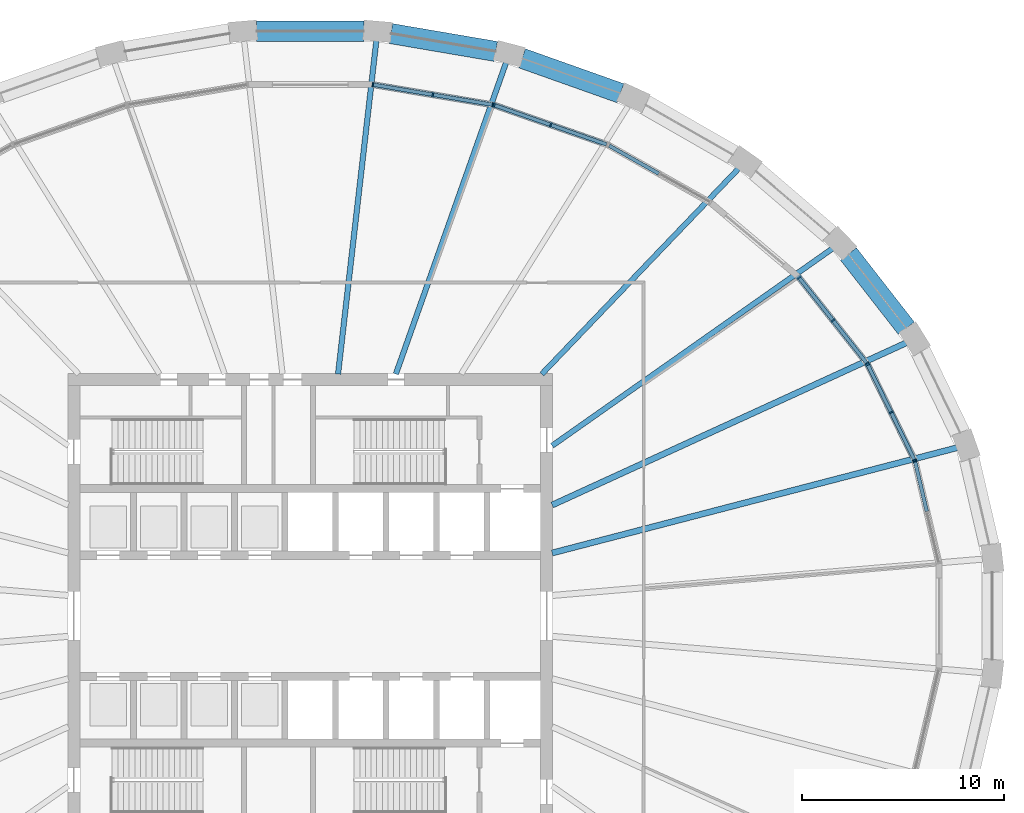
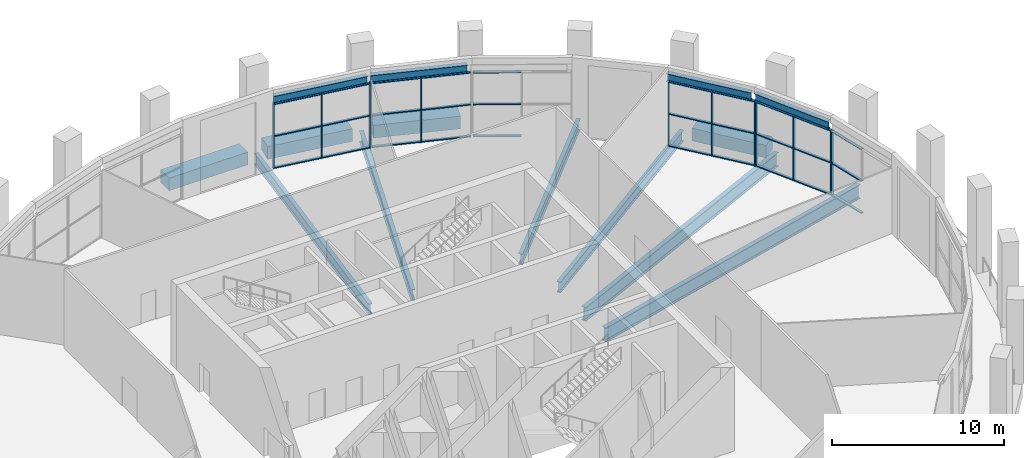
# One storey, part 8 of 19: 42 members, 14 beams, 6 elements without a shape of their own.
"""IFC4 building model written with IfcOpenShell, lengths in metres."""

from ifc_helpers import new_model, si_unit, direction, frame, origin, origin_2d, place, context, subcontext, project, spatial, rectangle, i_section, extrude, material, material_profile, profile_set, type_object, element, aggregate, save


model = new_model("IFC4")

# Units and contexts
model_context = context("Model", 3, precision=1e-05, world=origin(), true_north=direction((0.0, 1.0)))
body_context = subcontext(model_context, "Body", "Model", "MODEL_VIEW")
ifc_project = project(units=[si_unit("LENGTHUNIT", "METRE"), si_unit("AREAUNIT", "SQUARE_METRE"), si_unit("VOLUMEUNIT", "CUBIC_METRE"), si_unit("PLANEANGLEUNIT", "RADIAN"), si_unit("MASSUNIT", "GRAM", prefix="KILO")], contexts=[model_context])

# Site, building, storey
site_placement = place(None, origin())
site = spatial("IfcSite", under=ifc_project, at=site_placement, CompositionType="ELEMENT")
building_placement = place(site_placement, origin())
building = spatial("IfcBuilding", under=site, at=building_placement, Name="Halqa Exchange Tower", CompositionType="ELEMENT")
storey_placement = place(building_placement, frame((0.0, 0.0, 167.5)))
storey = spatial("IfcBuildingStorey", under=building, at=storey_placement, Name="L38", CompositionType="ELEMENT", Elevation=167.5)

# Beams
ifc_material_1 = material(Name="Steel S355", Category="steel")
ifc_material_profile_1 = material_profile(ifc_material_1, i_section(OverallWidth=0.300048828125, OverallDepth=0.989990234375, WebThickness=0.0166015625, FlangeThickness=0.031005859375, FilletRadius=0.030029296875, at=origin_2d()), Name="HEA 1000")
ifc_profile_set_1 = profile_set([ifc_material_profile_1], Name="Steel S355")
beam_type_1 = type_object("IfcBeamType", Name="Floor beam HEA 1000", PredefinedType="BEAM", material=ifc_profile_set_1)
beam_1_placement = place(storey_placement, frame((11.972412109375, 5.4853515625, -0.844970703125), z_axis=(0.909131678644, 0.416508812495, 0.0), x_axis=(-0.416508812495, 0.909131678644, 0.0)))
element("IfcBeam", 1, at=beam_1_placement, inside=storey, type_object=beam_type_1, Name="Radial beam 3", PredefinedType="BEAM", context=body_context, shape_type="SweptSolid", body=[
    extrude(i_section(OverallWidth=0.300048828125, OverallDepth=0.989990234375, WebThickness=0.0166015625, FlangeThickness=0.031005859375, FilletRadius=0.030029296875, at=origin_2d()), origin(), (0.0, 0.0, 1.0), 19.36083984375),
])
ifc_material_profile_2 = material_profile(ifc_material_1, i_section(OverallWidth=0.300048828125, OverallDepth=1.0, WebThickness=0.01904296875, FlangeThickness=0.035888671875, FilletRadius=0.030029296875, at=origin_2d()), Name="HEB 1000")
ifc_profile_set_2 = profile_set([ifc_material_profile_2], Name="Steel S355")
beam_type_2 = type_object("IfcBeamType", Name="Floor beam HEB 1000", PredefinedType="BEAM", material=ifc_profile_set_2)
beam_2_placement = place(storey_placement, frame((11.97119140625, 3.11279296875, -0.85009765625), z_axis=(0.967821534715, 0.251637590478, 0.0), x_axis=(-0.251637590478, 0.967821534715, 0.0)))
element("IfcBeam", 2, at=beam_2_placement, inside=storey, type_object=beam_type_2, Name="Radial beam 2", PredefinedType="BEAM", context=body_context, shape_type="SweptSolid", body=[
    extrude(i_section(OverallWidth=0.300048828125, OverallDepth=1.0, WebThickness=0.01904296875, FlangeThickness=0.035888671875, FilletRadius=0.030029296875, at=origin_2d()), origin(), (0.0, 0.0, 1.0), 20.79638671875),
])
ifc_material_profile_3 = material_profile(ifc_material_1, i_section(OverallWidth=0.264892578125, OverallDepth=0.7529296875, WebThickness=0.01318359375, FlangeThickness=0.01708984375, FilletRadius=0.01708984375, at=origin_2d()), Name="IPE 750x147")
ifc_profile_set_3 = profile_set([ifc_material_profile_3], Name="Steel S355")
beam_type_3 = type_object("IfcBeamType", Name="Floor beam IPE 750x147", PredefinedType="BEAM", material=ifc_profile_set_3)
beam_3_placement = place(storey_placement, frame((11.462890625, 11.97216796875, -0.7265625), z_axis=(0.691574751558, 0.722304896153, 0.0), x_axis=(-0.722304896153, 0.691574751558, 0.0)))
element("IfcBeam", 3, at=beam_3_placement, inside=storey, type_object=beam_type_3, Name="Radial beam 5", PredefinedType="BEAM", context=body_context, shape_type="SweptSolid", body=[
    extrude(i_section(OverallWidth=0.264892578125, OverallDepth=0.7529296875, WebThickness=0.01318359375, FlangeThickness=0.01708984375, FilletRadius=0.01708984375, at=origin_2d()), origin(), (0.0, 0.0, 1.0), 14.165283203125),
])
ifc_material_profile_4 = material_profile(ifc_material_1, i_section(OverallWidth=0.26806640625, OverallDepth=0.77001953125, WebThickness=0.015625, FlangeThickness=0.025390625, FilletRadius=0.01708984375, at=origin_2d()), Name="IPE 750x196")
ifc_profile_set_4 = profile_set([ifc_material_profile_4], Name="Steel S355")
beam_type_4 = type_object("IfcBeamType", Name="Floor beam IPE 750x196", PredefinedType="BEAM", material=ifc_profile_set_4)
beam_4_placement = place(storey_placement, frame((11.971435546875, 8.421142578125, -0.735107421875), z_axis=(0.817908264437, 0.575348651659, 0.0), x_axis=(-0.575348651659, 0.817908264437, 0.0)))
element("IfcBeam", 4, at=beam_4_placement, inside=storey, type_object=beam_type_4, Name="Radial beam 4", PredefinedType="BEAM", context=body_context, shape_type="SweptSolid", body=[
    extrude(i_section(OverallWidth=0.26806640625, OverallDepth=0.77001953125, WebThickness=0.015625, FlangeThickness=0.025390625, FilletRadius=0.01708984375, at=origin_2d()), origin(), (0.0, 0.0, 1.0), 17.04638671875),
])
beam_5_placement = place(storey_placement, frame((4.237060546875, 11.972412109375, -0.735107421875), z_axis=(0.333624740658, 0.942705962865, 0.0), x_axis=(-0.942705962865, 0.333624740658, 0.0)))
element("IfcBeam", 5, at=beam_5_placement, inside=storey, type_object=beam_type_4, Name="Radial beam 7", PredefinedType="BEAM", context=body_context, shape_type="SweptSolid", body=[
    extrude(i_section(OverallWidth=0.26806640625, OverallDepth=0.77001953125, WebThickness=0.015625, FlangeThickness=0.025390625, FilletRadius=0.01708984375, at=origin_2d()), origin(), (0.0, 0.0, 1.0), 16.440185546875),
])
beam_6_placement = place(storey_placement, frame((1.37548828125, 11.97119140625, -0.735107421875), z_axis=(0.114150878314, 0.993463425084, 0.0), x_axis=(-0.993463425084, 0.114150878314, 0.0)))
element("IfcBeam", 6, at=beam_6_placement, inside=storey, type_object=beam_type_4, Name="Radial beam 8", PredefinedType="BEAM", context=body_context, shape_type="SweptSolid", body=[
    extrude(i_section(OverallWidth=0.26806640625, OverallDepth=0.77001953125, WebThickness=0.015625, FlangeThickness=0.025390625, FilletRadius=0.01708984375, at=origin_2d()), origin(), (0.0, 0.0, 1.0), 16.70361328125),
])
ifc_material_profile_5 = material_profile(ifc_material_1, i_section(OverallWidth=0.300048828125, OverallDepth=0.60009765625, WebThickness=0.015380859375, FlangeThickness=0.030029296875, FilletRadius=0.027099609375, at=origin_2d()), Name="HEB 600")
ifc_profile_set_5 = profile_set([ifc_material_profile_5], Name="Steel S355")
beam_type_5 = type_object("IfcBeamType", Name="Head beam HEB 600", PredefinedType="BEAM", material=ifc_profile_set_5)
beam_7_placement = place(storey_placement, frame((29.822509765625, 7.88330078125, 4.89990234375), z_axis=(-0.440464064744, 0.897770242138, 0.0), x_axis=(-0.897770242138, -0.440464064744, 0.0)))
element("IfcBeam", 7, at=beam_7_placement, inside=storey, type_object=beam_type_5, Name="Spandrel head beam 2", PredefinedType="BEAM", context=body_context, shape_type="SweptSolid", body=[
    extrude(i_section(OverallWidth=0.300048828125, OverallDepth=0.60009765625, WebThickness=0.015380859375, FlangeThickness=0.030029296875, FilletRadius=0.027099609375, at=origin_2d()), origin(), (0.0, 0.0, 1.0), 5.131591796875),
])
beam_8_placement = place(storey_placement, frame((27.3974609375, 12.689697265625, 4.89990234375), z_axis=(-0.620595231128, 0.784131085407, 0.0), x_axis=(-0.784131085407, -0.620595231128, 0.0)))
element("IfcBeam", 8, at=beam_8_placement, inside=storey, type_object=beam_type_5, Name="Spandrel head beam 3", PredefinedType="BEAM", context=body_context, shape_type="SweptSolid", body=[
    extrude(i_section(OverallWidth=0.300048828125, OverallDepth=0.60009765625, WebThickness=0.015380859375, FlangeThickness=0.030029296875, FilletRadius=0.027099609375, at=origin_2d()), origin(), (0.0, 0.0, 1.0), 5.283447265625),
])
beam_9_placement = place(storey_placement, frame((14.4658203125, 23.4033203125, 4.89990234375), z_axis=(-0.943946157734, 0.330099456679, 0.0), x_axis=(-0.330099456679, -0.943946157734, 0.0)))
element("IfcBeam", 9, at=beam_9_placement, inside=storey, type_object=beam_type_5, Name="Spandrel head beam 6", PredefinedType="BEAM", context=body_context, shape_type="SweptSolid", body=[
    extrude(i_section(OverallWidth=0.300048828125, OverallDepth=0.60009765625, WebThickness=0.015380859375, FlangeThickness=0.030029296875, FilletRadius=0.027099609375, at=origin_2d()), origin(), (0.0, 0.0, 1.0), 5.719970703125),
])
beam_10_placement = place(storey_placement, frame((8.847900390625, 25.3271484375, 4.89990234375), z_axis=(-0.986189441938, 0.165621208213, 0.0), x_axis=(-0.165621208213, -0.986189441938, 0.0)))
element("IfcBeam", 10, at=beam_10_placement, inside=storey, type_object=beam_type_5, Name="Spandrel head beam 7", PredefinedType="BEAM", context=body_context, shape_type="SweptSolid", body=[
    extrude(i_section(OverallWidth=0.300048828125, OverallDepth=0.60009765625, WebThickness=0.015380859375, FlangeThickness=0.030029296875, FilletRadius=0.027099609375, at=origin_2d()), origin(), (0.0, 0.0, 1.0), 5.797607421875),
])
ifc_material_2 = material(Name="Concrete C60/75", Category="concrete")
ifc_material_profile_6 = material_profile(ifc_material_2, rectangle(XDim=1.0, YDim=0.89990234375, at=origin_2d()), Name="1000 x 900")
ifc_profile_set_6 = profile_set([ifc_material_profile_6], Name="Concrete C60/75")
beam_type_6 = type_object("IfcBeamType", Name="RC spandrel beam 1000 x 900 C60/75", PredefinedType="SPANDREL", material=ifc_profile_set_6)
beam_11_placement = place(storey_placement, frame((29.500244140625, 14.239013671875, -0.449951171875), z_axis=(-0.614796515977, 0.78868577009, 0.0), x_axis=(-0.78868577009, -0.614796515977, 0.0)))
element("IfcBeam", 11, at=beam_11_placement, inside=storey, type_object=beam_type_6, Name="Spandrel 3", PredefinedType="SPANDREL", context=body_context, shape_type="SweptSolid", body=[
    extrude(rectangle(XDim=1.0, YDim=0.89990234375, at=origin_2d()), origin(), (0.0, 0.0, 1.0), 4.658447265625),
])
beam_12_placement = place(storey_placement, frame((15.354248046875, 25.867919921875, -0.449951171875), z_axis=(-0.942370602203, 0.334570841682, 0.0), x_axis=(-0.334570841682, -0.942370602203, 0.0)))
element("IfcBeam", 12, at=beam_12_placement, inside=storey, type_object=beam_type_6, Name="Spandrel 6", PredefinedType="SPANDREL", context=body_context, shape_type="SweptSolid", body=[
    extrude(rectangle(XDim=1.0, YDim=0.89990234375, at=origin_2d()), origin(), (0.0, 0.0, 1.0), 5.169921875),
])
beam_13_placement = place(storey_placement, frame((9.1826171875, 27.936279296875, -0.449951171875), z_axis=(-0.985766792744, 0.168118500836, 0.0), x_axis=(-0.168118500836, -0.985766792744, 0.0)))
element("IfcBeam", 13, at=beam_13_placement, inside=storey, type_object=beam_type_6, Name="Spandrel 7", PredefinedType="SPANDREL", context=body_context, shape_type="SweptSolid", body=[
    extrude(rectangle(XDim=1.0, YDim=0.89990234375, at=origin_2d()), origin(), (0.0, 0.0, 1.0), 5.26708984375),
])
beam_14_placement = place(storey_placement, frame((2.649658203125, 28.935302734375, -0.449951171875), z_axis=(-1.0, 0.0, 0.0), x_axis=(0.0, -1.0, 0.0)))
element("IfcBeam", 14, at=beam_14_placement, inside=storey, type_object=beam_type_6, Name="Spandrel 8", PredefinedType="SPANDREL", context=body_context, shape_type="SweptSolid", body=[
    extrude(rectangle(XDim=1.0, YDim=0.89990234375, at=origin_2d()), origin(), (0.0, 0.0, 1.0), 5.29931640625),
])

# Curtain wall, member
ifc_material_3 = material(Name="Anodised aluminium and clear glass", Category="aluminium")
curtain_wall_type = type_object("IfcCurtainWallType", Name="Sky lobby glazing", PredefinedType="NOTDEFINED", material=ifc_material_3)
curtain_wall_1_placement = place(storey_placement, origin())
curtain_wall_1 = element("IfcCurtainWall", 15, at=curtain_wall_1_placement, inside=storey, type_object=curtain_wall_type, Name="Sky lobby glazing run G1", PredefinedType="NOTDEFINED")
ifc_material_4 = material(Name="Anodised aluminium", Category="aluminium")
ifc_material_profile_7 = material_profile(ifc_material_4, rectangle(XDim=0.219970703125, YDim=0.070068359375, at=origin_2d()), Name="AL 70x220")
ifc_profile_set_7 = profile_set([ifc_material_profile_7], Name="Anodised aluminium")
member_type_1 = type_object("IfcMemberType", Name="Sky lobby glazing mullion 70 x 220", PredefinedType="MULLION", material=ifc_profile_set_7)
member_1_placement = place(storey_placement, frame((29.93115234375, 7.64404296875, 0.0), z_axis=(0.0, 0.0, 1.0), x_axis=(-0.973351612825, -0.229317766019, 0.0)))
member_1 = element("IfcMember", 16, at=member_1_placement, type_object=member_type_1, Name="G1 mullion 3", PredefinedType="MULLION", context=body_context, shape_type="SweptSolid", body=[
    extrude(rectangle(XDim=0.219970703125, YDim=0.070068359375, at=origin_2d()), origin(), (0.0, 0.0, 1.0), 4.60009765625),
])

# Curtain wall, members
curtain_wall_2_placement = place(storey_placement, origin())
curtain_wall_2 = element("IfcCurtainWall", 17, at=curtain_wall_2_placement, inside=storey, type_object=curtain_wall_type, Name="Sky lobby glazing run G2", PredefinedType="NOTDEFINED")
member_2_placement = place(storey_placement, frame((29.90771484375, 7.709716796875, 0.0), z_axis=(0.0, 0.0, 1.0), x_axis=(-0.897780317672, -0.440443527823, 0.0)))
member_2 = element("IfcMember", 18, at=member_2_placement, type_object=member_type_1, Name="G2 mullion 1", PredefinedType="MULLION", context=body_context, shape_type="SweptSolid", body=[
    extrude(rectangle(XDim=0.219970703125, YDim=0.070068359375, at=origin_2d()), origin(), (0.0, 0.0, 1.0), 4.60009765625),
])
member_3_placement = place(storey_placement, frame((28.74853515625, 10.072265625, 0.0), z_axis=(0.0, 0.0, 1.0), x_axis=(-0.897780317672, -0.440443527823, 0.0)))
member_3 = element("IfcMember", 19, at=member_3_placement, type_object=member_type_1, Name="G2 mullion 2", PredefinedType="MULLION", context=body_context, shape_type="SweptSolid", body=[
    extrude(rectangle(XDim=0.219970703125, YDim=0.070068359375, at=origin_2d()), origin(), (0.0, 0.0, 1.0), 4.60009765625),
])
member_4_placement = place(storey_placement, frame((27.58935546875, 12.43505859375, 0.0), z_axis=(0.0, 0.0, 1.0), x_axis=(-0.897780317672, -0.440443527823, 0.0)))
member_4 = element("IfcMember", 20, at=member_4_placement, type_object=member_type_1, Name="G2 mullion 3", PredefinedType="MULLION", context=body_context, shape_type="SweptSolid", body=[
    extrude(rectangle(XDim=0.219970703125, YDim=0.070068359375, at=origin_2d()), origin(), (0.0, 0.0, 1.0), 4.60009765625),
])

curtain_wall_3_placement = place(storey_placement, origin())
curtain_wall_3 = element("IfcCurtainWall", 21, at=curtain_wall_3_placement, inside=storey, type_object=curtain_wall_type, Name="Sky lobby glazing run G3", PredefinedType="NOTDEFINED")
member_5_placement = place(storey_placement, frame((27.55224609375, 12.493896484375, 0.0), z_axis=(0.0, 0.0, 1.0), x_axis=(-0.784140319926, -0.620583563001, 0.0)))
member_5 = element("IfcMember", 22, at=member_5_placement, type_object=member_type_1, Name="G3 mullion 1", PredefinedType="MULLION", context=body_context, shape_type="SweptSolid", body=[
    extrude(rectangle(XDim=0.219970703125, YDim=0.070068359375, at=origin_2d()), origin(), (0.0, 0.0, 1.0), 4.60009765625),
])
member_6_placement = place(storey_placement, frame((25.86962890625, 14.6201171875, 0.0), z_axis=(0.0, 0.0, 1.0), x_axis=(-0.784140319926, -0.620583563001, 0.0)))
member_6 = element("IfcMember", 23, at=member_6_placement, type_object=member_type_1, Name="G3 mullion 2", PredefinedType="MULLION", context=body_context, shape_type="SweptSolid", body=[
    extrude(rectangle(XDim=0.219970703125, YDim=0.070068359375, at=origin_2d()), origin(), (0.0, 0.0, 1.0), 4.60009765625),
])
member_7_placement = place(storey_placement, frame((24.18701171875, 16.746337890625, 0.0), z_axis=(0.0, 0.0, 1.0), x_axis=(-0.784140319926, -0.620583563001, 0.0)))
member_7 = element("IfcMember", 24, at=member_7_placement, type_object=member_type_1, Name="G3 mullion 3", PredefinedType="MULLION", context=body_context, shape_type="SweptSolid", body=[
    extrude(rectangle(XDim=0.219970703125, YDim=0.070068359375, at=origin_2d()), origin(), (0.0, 0.0, 1.0), 4.60009765625),
])

curtain_wall_4_placement = place(storey_placement, origin())
curtain_wall_4 = element("IfcCurtainWall", 25, at=curtain_wall_4_placement, inside=storey, type_object=curtain_wall_type, Name="Sky lobby glazing run G6", PredefinedType="NOTDEFINED")
member_8_placement = place(storey_placement, frame((11.90185546875, 24.2998046875, 0.0), z_axis=(0.0, 0.0, 1.0), x_axis=(-0.330100113683, -0.943945927978, 0.0)))
member_8 = element("IfcMember", 26, at=member_8_placement, type_object=member_type_1, Name="G6 mullion 2", PredefinedType="MULLION", context=body_context, shape_type="SweptSolid", body=[
    extrude(rectangle(XDim=0.219970703125, YDim=0.070068359375, at=origin_2d()), origin(), (0.0, 0.0, 1.0), 4.60009765625),
])
member_9_placement = place(storey_placement, frame((9.1044921875, 25.278076171875, 0.0), z_axis=(0.0, 0.0, 1.0), x_axis=(-0.330100113683, -0.943945927978, 0.0)))
member_9 = element("IfcMember", 27, at=member_9_placement, type_object=member_type_1, Name="G6 mullion 3", PredefinedType="MULLION", context=body_context, shape_type="SweptSolid", body=[
    extrude(rectangle(XDim=0.219970703125, YDim=0.070068359375, at=origin_2d()), origin(), (0.0, 0.0, 1.0), 4.60009765625),
])

curtain_wall_5_placement = place(storey_placement, origin())
curtain_wall_5 = element("IfcCurtainWall", 28, at=curtain_wall_5_placement, inside=storey, type_object=curtain_wall_type, Name="Sky lobby glazing run G7", PredefinedType="NOTDEFINED")
member_10_placement = place(storey_placement, frame((9.036865234375, 25.29541015625, 0.0), z_axis=(0.0, 0.0, 1.0), x_axis=(-0.165625859626, -0.986188660766, 0.0)))
member_10 = element("IfcMember", 29, at=member_10_placement, type_object=member_type_1, Name="G7 mullion 1", PredefinedType="MULLION", context=body_context, shape_type="SweptSolid", body=[
    extrude(rectangle(XDim=0.219970703125, YDim=0.070068359375, at=origin_2d()), origin(), (0.0, 0.0, 1.0), 4.60009765625),
])
member_11_placement = place(storey_placement, frame((6.067138671875, 25.794189453125, 0.0), z_axis=(0.0, 0.0, 1.0), x_axis=(-0.165625859626, -0.986188660766, 0.0)))
member_11 = element("IfcMember", 30, at=member_11_placement, type_object=member_type_1, Name="G7 mullion 2", PredefinedType="MULLION", context=body_context, shape_type="SweptSolid", body=[
    extrude(rectangle(XDim=0.219970703125, YDim=0.070068359375, at=origin_2d()), origin(), (0.0, 0.0, 1.0), 4.60009765625),
])
member_12_placement = place(storey_placement, frame((3.097412109375, 26.29296875, 0.0), z_axis=(0.0, 0.0, 1.0), x_axis=(-0.165625859626, -0.986188660766, 0.0)))
member_12 = element("IfcMember", 31, at=member_12_placement, type_object=member_type_1, Name="G7 mullion 3", PredefinedType="MULLION", context=body_context, shape_type="SweptSolid", body=[
    extrude(rectangle(XDim=0.219970703125, YDim=0.070068359375, at=origin_2d()), origin(), (0.0, 0.0, 1.0), 4.60009765625),
])

# Member
ifc_material_profile_8 = material_profile(ifc_material_4, rectangle(XDim=0.179931640625, YDim=0.070068359375, at=origin_2d()), Name="AL 70x180")
ifc_profile_set_8 = profile_set([ifc_material_profile_8], Name="Anodised aluminium")
member_type_2 = type_object("IfcMemberType", Name="Sky lobby glazing transom 70 x 180", PredefinedType="USERDEFINED", material=ifc_profile_set_8)
member_13_placement = place(storey_placement, frame((30.51416015625, 5.169677734375, 0.034912109375), z_axis=(-0.229316122458, 0.973352000039, 0.0), x_axis=(-0.973352000039, -0.229316122458, 0.0)))
member_13 = element("IfcMember", 32, at=member_13_placement, type_object=member_type_2, Name="G1 transom 2.1", ObjectType="TRANSOM", PredefinedType="USERDEFINED", context=body_context, shape_type="SweptSolid", body=[
    extrude(rectangle(XDim=0.179931640625, YDim=0.070068359375, at=origin_2d()), origin(), (0.0, 0.0, 1.0), 2.50732421875),
])

member_14_placement = place(storey_placement, frame((30.51416015625, 5.169677734375, 2.300048828125), z_axis=(-0.229316122458, 0.973352000039, 0.0), x_axis=(-0.973352000039, -0.229316122458, 0.0)))
member_14 = element("IfcMember", 33, at=member_14_placement, type_object=member_type_2, Name="G1 transom 2.2", ObjectType="TRANSOM", PredefinedType="USERDEFINED", context=body_context, shape_type="SweptSolid", body=[
    extrude(rectangle(XDim=0.179931640625, YDim=0.070068359375, at=origin_2d()), origin(), (0.0, 0.0, 1.0), 2.50732421875),
])

member_15_placement = place(storey_placement, frame((30.51416015625, 5.169677734375, 4.56494140625), z_axis=(-0.229316122458, 0.973352000039, 0.0), x_axis=(-0.973352000039, -0.229316122458, 0.0)))
member_15 = element("IfcMember", 34, at=member_15_placement, type_object=member_type_2, Name="G1 transom 2.3", ObjectType="TRANSOM", PredefinedType="USERDEFINED", context=body_context, shape_type="SweptSolid", body=[
    extrude(rectangle(XDim=0.179931640625, YDim=0.070068359375, at=origin_2d()), origin(), (0.0, 0.0, 1.0), 2.50732421875),
])

aggregate(curtain_wall_1, [member_1, member_13, member_14, member_15])

member_16_placement = place(storey_placement, frame((29.892333984375, 7.740966796875, 0.034912109375), z_axis=(-0.44045397845, 0.897775190606, 0.0), x_axis=(-0.897775190606, -0.44045397845, 0.0)))
member_16 = element("IfcMember", 35, at=member_16_placement, type_object=member_type_2, Name="G2 transom 1.1", ObjectType="TRANSOM", PredefinedType="USERDEFINED", context=body_context, shape_type="SweptSolid", body=[
    extrude(rectangle(XDim=0.179931640625, YDim=0.070068359375, at=origin_2d()), origin(), (0.0, 0.0, 1.0), 2.56201171875),
])

member_17_placement = place(storey_placement, frame((29.892333984375, 7.740966796875, 2.300048828125), z_axis=(-0.44045397845, 0.897775190606, 0.0), x_axis=(-0.897775190606, -0.44045397845, 0.0)))
member_17 = element("IfcMember", 36, at=member_17_placement, type_object=member_type_2, Name="G2 transom 1.2", ObjectType="TRANSOM", PredefinedType="USERDEFINED", context=body_context, shape_type="SweptSolid", body=[
    extrude(rectangle(XDim=0.179931640625, YDim=0.070068359375, at=origin_2d()), origin(), (0.0, 0.0, 1.0), 2.56201171875),
])

member_18_placement = place(storey_placement, frame((29.892333984375, 7.740966796875, 4.56494140625), z_axis=(-0.44045397845, 0.897775190606, 0.0), x_axis=(-0.897775190606, -0.44045397845, 0.0)))
member_18 = element("IfcMember", 37, at=member_18_placement, type_object=member_type_2, Name="G2 transom 1.3", ObjectType="TRANSOM", PredefinedType="USERDEFINED", context=body_context, shape_type="SweptSolid", body=[
    extrude(rectangle(XDim=0.179931640625, YDim=0.070068359375, at=origin_2d()), origin(), (0.0, 0.0, 1.0), 2.56201171875),
])

member_19_placement = place(storey_placement, frame((28.733154296875, 10.103759765625, 0.034912109375), z_axis=(-0.440491663702, 0.897756701011, 0.0), x_axis=(-0.897756701011, -0.440491663702, 0.0)))
member_19 = element("IfcMember", 38, at=member_19_placement, type_object=member_type_2, Name="G2 transom 2.1", ObjectType="TRANSOM", PredefinedType="USERDEFINED", context=body_context, shape_type="SweptSolid", body=[
    extrude(rectangle(XDim=0.179931640625, YDim=0.070068359375, at=origin_2d()), origin(), (0.0, 0.0, 1.0), 2.561767578125),
])

member_20_placement = place(storey_placement, frame((28.733154296875, 10.103759765625, 2.300048828125), z_axis=(-0.440491663702, 0.897756701011, 0.0), x_axis=(-0.897756701011, -0.440491663702, 0.0)))
member_20 = element("IfcMember", 39, at=member_20_placement, type_object=member_type_2, Name="G2 transom 2.2", ObjectType="TRANSOM", PredefinedType="USERDEFINED", context=body_context, shape_type="SweptSolid", body=[
    extrude(rectangle(XDim=0.179931640625, YDim=0.070068359375, at=origin_2d()), origin(), (0.0, 0.0, 1.0), 2.561767578125),
])

member_21_placement = place(storey_placement, frame((28.733154296875, 10.103759765625, 4.56494140625), z_axis=(-0.440491663702, 0.897756701011, 0.0), x_axis=(-0.897756701011, -0.440491663702, 0.0)))
member_21 = element("IfcMember", 40, at=member_21_placement, type_object=member_type_2, Name="G2 transom 2.3", ObjectType="TRANSOM", PredefinedType="USERDEFINED", context=body_context, shape_type="SweptSolid", body=[
    extrude(rectangle(XDim=0.179931640625, YDim=0.070068359375, at=origin_2d()), origin(), (0.0, 0.0, 1.0), 2.561767578125),
])

aggregate(curtain_wall_2, [member_2, member_3, member_4, member_16, member_17, member_18, member_19, member_20, member_21])

member_22_placement = place(storey_placement, frame((27.530517578125, 12.521484375, 0.034912109375), z_axis=(-0.620560889175, 0.78415826389, 0.0), x_axis=(-0.78415826389, -0.620560889175, 0.0)))
member_22 = element("IfcMember", 41, at=member_22_placement, type_object=member_type_2, Name="G3 transom 1.1", ObjectType="TRANSOM", PredefinedType="USERDEFINED", context=body_context, shape_type="SweptSolid", body=[
    extrude(rectangle(XDim=0.179931640625, YDim=0.070068359375, at=origin_2d()), origin(), (0.0, 0.0, 1.0), 2.641357421875),
])

member_23_placement = place(storey_placement, frame((27.530517578125, 12.521484375, 2.300048828125), z_axis=(-0.620560889175, 0.78415826389, 0.0), x_axis=(-0.78415826389, -0.620560889175, 0.0)))
member_23 = element("IfcMember", 42, at=member_23_placement, type_object=member_type_2, Name="G3 transom 1.2", ObjectType="TRANSOM", PredefinedType="USERDEFINED", context=body_context, shape_type="SweptSolid", body=[
    extrude(rectangle(XDim=0.179931640625, YDim=0.070068359375, at=origin_2d()), origin(), (0.0, 0.0, 1.0), 2.641357421875),
])

member_24_placement = place(storey_placement, frame((27.530517578125, 12.521484375, 4.56494140625), z_axis=(-0.620560889175, 0.78415826389, 0.0), x_axis=(-0.78415826389, -0.620560889175, 0.0)))
member_24 = element("IfcMember", 43, at=member_24_placement, type_object=member_type_2, Name="G3 transom 1.3", ObjectType="TRANSOM", PredefinedType="USERDEFINED", context=body_context, shape_type="SweptSolid", body=[
    extrude(rectangle(XDim=0.179931640625, YDim=0.070068359375, at=origin_2d()), origin(), (0.0, 0.0, 1.0), 2.641357421875),
])

member_25_placement = place(storey_placement, frame((25.847900390625, 14.6474609375, 0.034912109375), z_axis=(-0.620560889175, 0.78415826389, 0.0), x_axis=(-0.78415826389, -0.620560889175, 0.0)))
member_25 = element("IfcMember", 44, at=member_25_placement, type_object=member_type_2, Name="G3 transom 2.1", ObjectType="TRANSOM", PredefinedType="USERDEFINED", context=body_context, shape_type="SweptSolid", body=[
    extrude(rectangle(XDim=0.179931640625, YDim=0.070068359375, at=origin_2d()), origin(), (0.0, 0.0, 1.0), 2.641357421875),
])

member_26_placement = place(storey_placement, frame((25.847900390625, 14.6474609375, 2.300048828125), z_axis=(-0.620560889175, 0.78415826389, 0.0), x_axis=(-0.78415826389, -0.620560889175, 0.0)))
member_26 = element("IfcMember", 45, at=member_26_placement, type_object=member_type_2, Name="G3 transom 2.2", ObjectType="TRANSOM", PredefinedType="USERDEFINED", context=body_context, shape_type="SweptSolid", body=[
    extrude(rectangle(XDim=0.179931640625, YDim=0.070068359375, at=origin_2d()), origin(), (0.0, 0.0, 1.0), 2.641357421875),
])

member_27_placement = place(storey_placement, frame((25.847900390625, 14.6474609375, 4.56494140625), z_axis=(-0.620560889175, 0.78415826389, 0.0), x_axis=(-0.78415826389, -0.620560889175, 0.0)))
member_27 = element("IfcMember", 46, at=member_27_placement, type_object=member_type_2, Name="G3 transom 2.3", ObjectType="TRANSOM", PredefinedType="USERDEFINED", context=body_context, shape_type="SweptSolid", body=[
    extrude(rectangle(XDim=0.179931640625, YDim=0.070068359375, at=origin_2d()), origin(), (0.0, 0.0, 1.0), 2.641357421875),
])

aggregate(curtain_wall_3, [member_5, member_6, member_7, member_22, member_23, member_24, member_25, member_26, member_27])

# Curtain wall, members
curtain_wall_6_placement = place(storey_placement, origin())
curtain_wall_6 = element("IfcCurtainWall", 47, at=curtain_wall_6_placement, inside=storey, type_object=curtain_wall_type, Name="Sky lobby glazing run G5", PredefinedType="NOTDEFINED")
member_28_placement = place(storey_placement, frame((17.250244140625, 21.889404296875, 0.034912109375), z_axis=(-0.870962322605, 0.49134980676, 0.0), x_axis=(-0.49134980676, -0.870962322605, 0.0)))
member_28 = element("IfcMember", 48, at=member_28_placement, type_object=member_type_2, Name="G5 transom 2.1", ObjectType="TRANSOM", PredefinedType="USERDEFINED", context=body_context, shape_type="SweptSolid", body=[
    extrude(rectangle(XDim=0.179931640625, YDim=0.070068359375, at=origin_2d()), origin(), (0.0, 0.0, 1.0), 2.82080078125),
])
member_29_placement = place(storey_placement, frame((17.250244140625, 21.889404296875, 2.300048828125), z_axis=(-0.870962322605, 0.49134980676, 0.0), x_axis=(-0.49134980676, -0.870962322605, 0.0)))
member_29 = element("IfcMember", 49, at=member_29_placement, type_object=member_type_2, Name="G5 transom 2.2", ObjectType="TRANSOM", PredefinedType="USERDEFINED", context=body_context, shape_type="SweptSolid", body=[
    extrude(rectangle(XDim=0.179931640625, YDim=0.070068359375, at=origin_2d()), origin(), (0.0, 0.0, 1.0), 2.82080078125),
])
member_30_placement = place(storey_placement, frame((17.250244140625, 21.889404296875, 4.56494140625), z_axis=(-0.870962322605, 0.49134980676, 0.0), x_axis=(-0.49134980676, -0.870962322605, 0.0)))
member_30 = element("IfcMember", 50, at=member_30_placement, type_object=member_type_2, Name="G5 transom 2.3", ObjectType="TRANSOM", PredefinedType="USERDEFINED", context=body_context, shape_type="SweptSolid", body=[
    extrude(rectangle(XDim=0.179931640625, YDim=0.070068359375, at=origin_2d()), origin(), (0.0, 0.0, 1.0), 2.82080078125),
])
aggregate(curtain_wall_6, [member_28, member_29, member_30])

# Member
member_31_placement = place(storey_placement, frame((14.66650390625, 23.3330078125, 0.034912109375), z_axis=(-0.943958282215, 0.330064783699, 0.0), x_axis=(-0.330064783699, -0.943958282215, 0.0)))
member_31 = element("IfcMember", 51, at=member_31_placement, type_object=member_type_2, Name="G6 transom 1.1", ObjectType="TRANSOM", PredefinedType="USERDEFINED", context=body_context, shape_type="SweptSolid", body=[
    extrude(rectangle(XDim=0.179931640625, YDim=0.070068359375, at=origin_2d()), origin(), (0.0, 0.0, 1.0), 2.8935546875),
])

member_32_placement = place(storey_placement, frame((14.66650390625, 23.3330078125, 2.300048828125), z_axis=(-0.943958282215, 0.330064783699, 0.0), x_axis=(-0.330064783699, -0.943958282215, 0.0)))
member_32 = element("IfcMember", 52, at=member_32_placement, type_object=member_type_2, Name="G6 transom 1.2", ObjectType="TRANSOM", PredefinedType="USERDEFINED", context=body_context, shape_type="SweptSolid", body=[
    extrude(rectangle(XDim=0.179931640625, YDim=0.070068359375, at=origin_2d()), origin(), (0.0, 0.0, 1.0), 2.8935546875),
])

member_33_placement = place(storey_placement, frame((14.66650390625, 23.3330078125, 4.56494140625), z_axis=(-0.943958282215, 0.330064783699, 0.0), x_axis=(-0.330064783699, -0.943958282215, 0.0)))
member_33 = element("IfcMember", 53, at=member_33_placement, type_object=member_type_2, Name="G6 transom 1.3", ObjectType="TRANSOM", PredefinedType="USERDEFINED", context=body_context, shape_type="SweptSolid", body=[
    extrude(rectangle(XDim=0.179931640625, YDim=0.070068359375, at=origin_2d()), origin(), (0.0, 0.0, 1.0), 2.8935546875),
])

member_34_placement = place(storey_placement, frame((11.868896484375, 24.311279296875, 0.034912109375), z_axis=(-0.943931992269, 0.330139961186, 0.0), x_axis=(-0.330139961186, -0.943931992269, 0.0)))
member_34 = element("IfcMember", 54, at=member_34_placement, type_object=member_type_2, Name="G6 transom 2.1", ObjectType="TRANSOM", PredefinedType="USERDEFINED", context=body_context, shape_type="SweptSolid", body=[
    extrude(rectangle(XDim=0.179931640625, YDim=0.070068359375, at=origin_2d()), origin(), (0.0, 0.0, 1.0), 2.893798828125),
])

member_35_placement = place(storey_placement, frame((11.868896484375, 24.311279296875, 2.300048828125), z_axis=(-0.943931992269, 0.330139961186, 0.0), x_axis=(-0.330139961186, -0.943931992269, 0.0)))
member_35 = element("IfcMember", 55, at=member_35_placement, type_object=member_type_2, Name="G6 transom 2.2", ObjectType="TRANSOM", PredefinedType="USERDEFINED", context=body_context, shape_type="SweptSolid", body=[
    extrude(rectangle(XDim=0.179931640625, YDim=0.070068359375, at=origin_2d()), origin(), (0.0, 0.0, 1.0), 2.893798828125),
])

member_36_placement = place(storey_placement, frame((11.868896484375, 24.311279296875, 4.56494140625), z_axis=(-0.943931992269, 0.330139961186, 0.0), x_axis=(-0.330139961186, -0.943931992269, 0.0)))
member_36 = element("IfcMember", 56, at=member_36_placement, type_object=member_type_2, Name="G6 transom 2.3", ObjectType="TRANSOM", PredefinedType="USERDEFINED", context=body_context, shape_type="SweptSolid", body=[
    extrude(rectangle(XDim=0.179931640625, YDim=0.070068359375, at=origin_2d()), origin(), (0.0, 0.0, 1.0), 2.893798828125),
])

aggregate(curtain_wall_4, [member_8, member_9, member_31, member_32, member_33, member_34, member_35, member_36])

member_37_placement = place(storey_placement, frame((9.00244140625, 25.30126953125, 0.034912109375), z_axis=(-0.986195809365, 0.165583288982, 0.0), x_axis=(-0.165583288982, -0.986195809365, 0.0)))
member_37 = element("IfcMember", 57, at=member_37_placement, type_object=member_type_2, Name="G7 transom 1.1", ObjectType="TRANSOM", PredefinedType="USERDEFINED", context=body_context, shape_type="SweptSolid", body=[
    extrude(rectangle(XDim=0.179931640625, YDim=0.070068359375, at=origin_2d()), origin(), (0.0, 0.0, 1.0), 2.94140625),
])

member_38_placement = place(storey_placement, frame((9.00244140625, 25.30126953125, 2.300048828125), z_axis=(-0.986195809365, 0.165583288982, 0.0), x_axis=(-0.165583288982, -0.986195809365, 0.0)))
member_38 = element("IfcMember", 58, at=member_38_placement, type_object=member_type_2, Name="G7 transom 1.2", ObjectType="TRANSOM", PredefinedType="USERDEFINED", context=body_context, shape_type="SweptSolid", body=[
    extrude(rectangle(XDim=0.179931640625, YDim=0.070068359375, at=origin_2d()), origin(), (0.0, 0.0, 1.0), 2.94140625),
])

member_39_placement = place(storey_placement, frame((9.00244140625, 25.30126953125, 4.56494140625), z_axis=(-0.986195809365, 0.165583288982, 0.0), x_axis=(-0.165583288982, -0.986195809365, 0.0)))
member_39 = element("IfcMember", 59, at=member_39_placement, type_object=member_type_2, Name="G7 transom 1.3", ObjectType="TRANSOM", PredefinedType="USERDEFINED", context=body_context, shape_type="SweptSolid", body=[
    extrude(rectangle(XDim=0.179931640625, YDim=0.070068359375, at=origin_2d()), origin(), (0.0, 0.0, 1.0), 2.94140625),
])

member_40_placement = place(storey_placement, frame((6.03271484375, 25.800048828125, 0.034912109375), z_axis=(-0.986195809365, 0.165583288982, 0.0), x_axis=(-0.165583288982, -0.986195809365, 0.0)))
member_40 = element("IfcMember", 60, at=member_40_placement, type_object=member_type_2, Name="G7 transom 2.1", ObjectType="TRANSOM", PredefinedType="USERDEFINED", context=body_context, shape_type="SweptSolid", body=[
    extrude(rectangle(XDim=0.179931640625, YDim=0.070068359375, at=origin_2d()), origin(), (0.0, 0.0, 1.0), 2.94140625),
])

member_41_placement = place(storey_placement, frame((6.03271484375, 25.800048828125, 2.300048828125), z_axis=(-0.986195809365, 0.165583288982, 0.0), x_axis=(-0.165583288982, -0.986195809365, 0.0)))
member_41 = element("IfcMember", 61, at=member_41_placement, type_object=member_type_2, Name="G7 transom 2.2", ObjectType="TRANSOM", PredefinedType="USERDEFINED", context=body_context, shape_type="SweptSolid", body=[
    extrude(rectangle(XDim=0.179931640625, YDim=0.070068359375, at=origin_2d()), origin(), (0.0, 0.0, 1.0), 2.94140625),
])

member_42_placement = place(storey_placement, frame((6.03271484375, 25.800048828125, 4.56494140625), z_axis=(-0.986195809365, 0.165583288982, 0.0), x_axis=(-0.165583288982, -0.986195809365, 0.0)))
member_42 = element("IfcMember", 62, at=member_42_placement, type_object=member_type_2, Name="G7 transom 2.3", ObjectType="TRANSOM", PredefinedType="USERDEFINED", context=body_context, shape_type="SweptSolid", body=[
    extrude(rectangle(XDim=0.179931640625, YDim=0.070068359375, at=origin_2d()), origin(), (0.0, 0.0, 1.0), 2.94140625),
])

aggregate(curtain_wall_5, [member_10, member_11, member_12, member_37, member_38, member_39, member_40, member_41, member_42])

save(model, "model.ifc")
